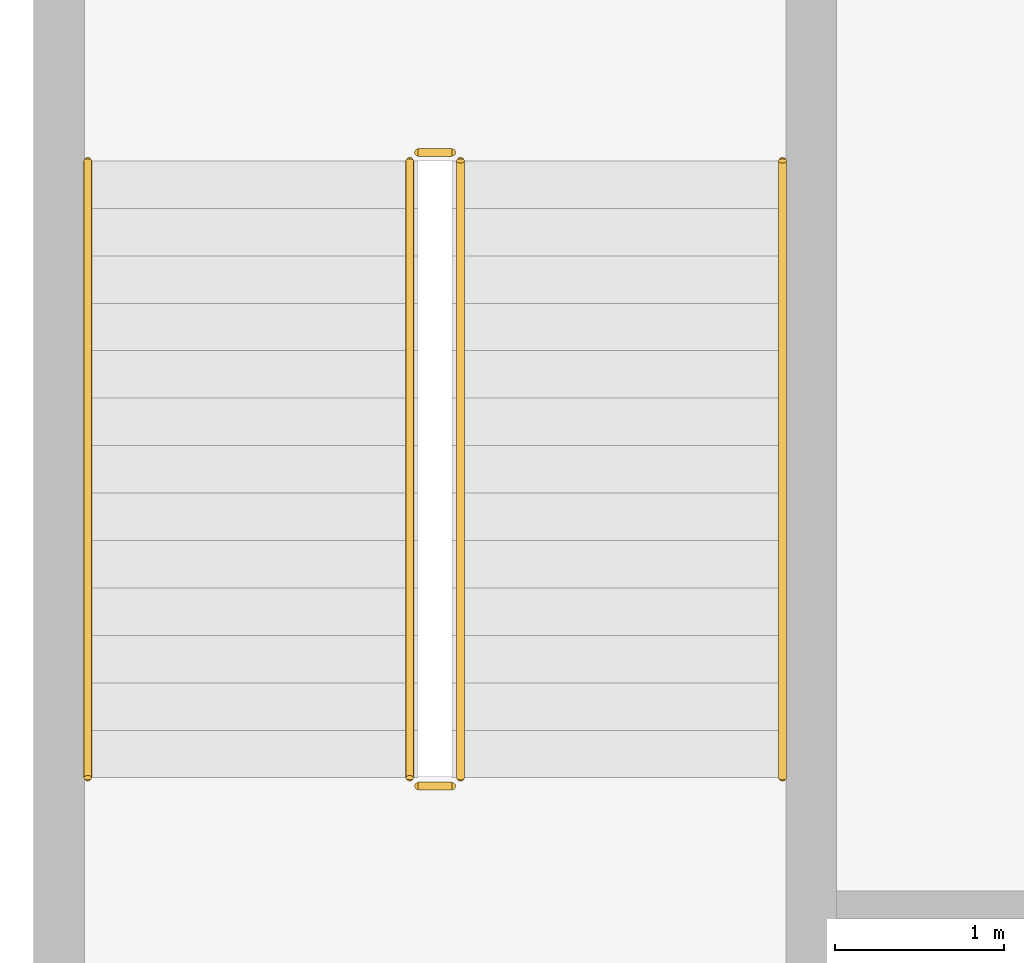
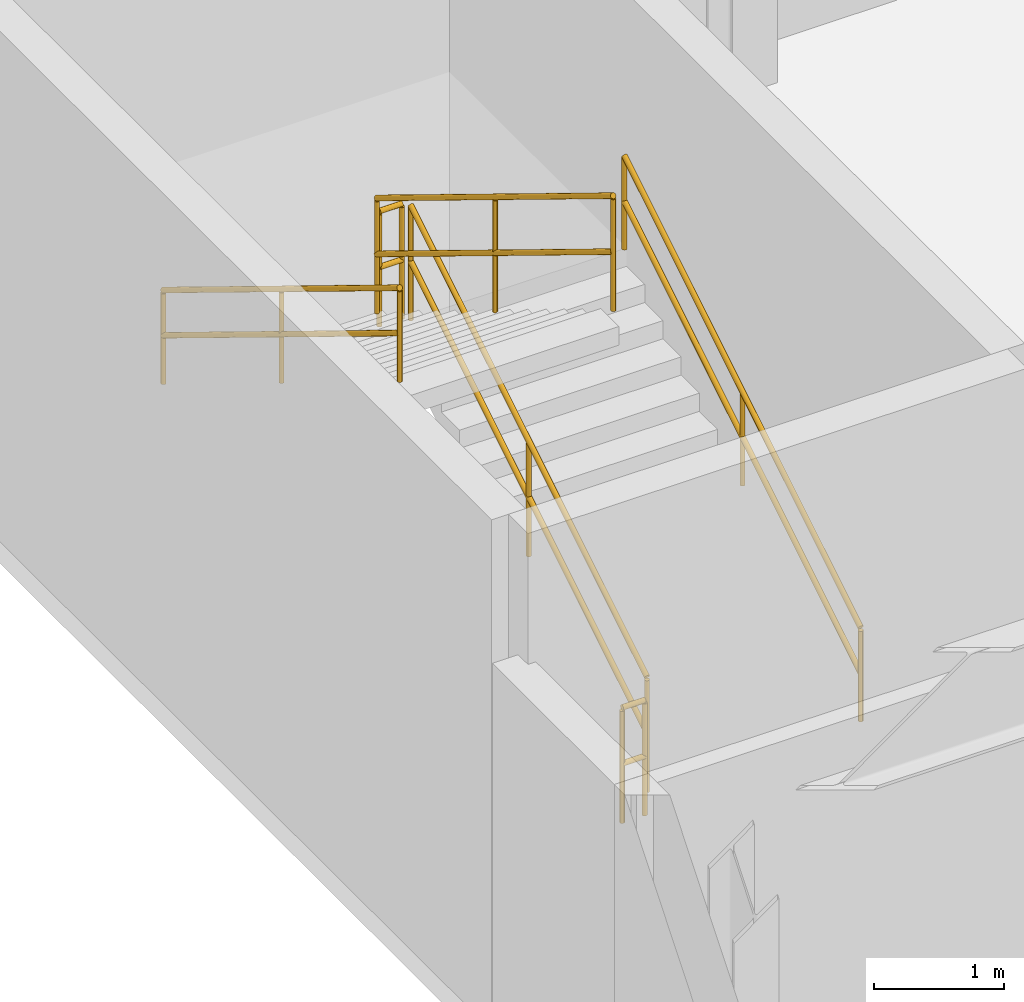
# One storey, part 25 of 26: 6 railings.
"""IFC4 building model written with IfcOpenShell, lengths in metres."""

from ifc_helpers import new_model, si_unit, direction, frame, origin, origin_2d, place, context, subcontext, project, spatial, circle, extrude, material, type_object, element, save


model = new_model("IFC4")

# Units and contexts
model_context = context("Model", 3, precision=1e-05, world=origin(), true_north=direction((0.0, 1.0)))
body_context = subcontext(model_context, "Body", "Model", "MODEL_VIEW")
ifc_project = project(units=[si_unit("LENGTHUNIT", "METRE"), si_unit("AREAUNIT", "SQUARE_METRE"), si_unit("VOLUMEUNIT", "CUBIC_METRE"), si_unit("PLANEANGLEUNIT", "RADIAN"), si_unit("MASSUNIT", "GRAM", prefix="KILO")], contexts=[model_context])

# Site, building, storey
site_placement = place(None, origin())
site = spatial("IfcSite", under=ifc_project, at=site_placement, CompositionType="ELEMENT")
building_placement = place(site_placement, origin())
building = spatial("IfcBuilding", under=site, at=building_placement, Name="Veldorina Hangang Commons", CompositionType="ELEMENT")
storey_placement = place(building_placement, frame((0.0, 0.0, 5.199951171875)))
storey = spatial("IfcBuildingStorey", under=building, at=storey_placement, Name="L01", CompositionType="ELEMENT", Elevation=5.199951171875)

# Railings
ifc_material_1 = material(Name="Steel Painted Balustrade", Category="steel")
railing_type_1 = type_object("IfcRailingType", Name="RL-GRD-STAIR", PredefinedType="GUARDRAIL", material=ifc_material_1)
railing_1_placement = place(storey_placement, frame((6.449951171875, 36.39990234375, 0.17138671875)))
element("IfcRailing", 1, at=railing_1_placement, inside=storey, type_object=railing_type_1, Name="L01 ST-P1 stair guard 1", PredefinedType="GUARDRAIL", context=body_context, shape_type="SweptSolid", body=[
    extrude(circle(Radius=0.02392578125, at=origin_2d()), frame((0.0, 0.0, 1.076171875), z_axis=(0.0, 0.852840387347, 0.522171689878), x_axis=(-1.0, 0.0, 0.0)), (0.0, 0.0, 1.0), 4.268310546875),
    extrude(circle(Radius=0.02392578125, at=origin_2d()), frame((0.0, 0.0, 0.550048828125), z_axis=(0.0, 0.852840387347, 0.522171689878), x_axis=(-1.0, 0.0, 0.0)), (0.0, 0.0, 1.0), 4.268310546875),
    extrude(circle(Radius=0.02099609375, at=origin_2d()), origin(), (0.0, 0.0, 1.0), 1.052001953125),
    extrude(circle(Radius=0.02099609375, at=origin_2d()), frame((0.0, 1.820068359375, 1.1142578125)), (0.0, 0.0, 1.0), 1.052001953125),
    extrude(circle(Radius=0.02099609375, at=origin_2d()), frame((0.0, 3.64013671875, 2.228759765625)), (0.0, 0.0, 1.0), 1.052001953125),
])
railing_2_placement = place(storey_placement, frame((6.39990234375, 40.090087890625, 2.400146484375)))
element("IfcRailing", 2, at=railing_2_placement, inside=storey, type_object=railing_type_1, Name="L01 ST-P1 stair guard 2", PredefinedType="GUARDRAIL", context=body_context, shape_type="SweptSolid", body=[
    extrude(circle(Radius=0.02392578125, at=origin_2d()), frame((0.0, 0.0, 1.076171875), z_axis=(-1.0, 0.0, 0.0), x_axis=(0.0, -1.0, 0.0)), (0.0, 0.0, 1.0), 0.199951171875),
    extrude(circle(Radius=0.02392578125, at=origin_2d()), frame((0.0, 0.0, 0.550048828125), z_axis=(-1.0, 0.0, 0.0), x_axis=(0.0, -1.0, 0.0)), (0.0, 0.0, 1.0), 0.199951171875),
    extrude(circle(Radius=0.02099609375, at=origin_2d()), origin(), (0.0, 0.0, 1.0), 1.052001953125),
    extrude(circle(Radius=0.02099609375, at=origin_2d()), frame((-0.199951171875, 0.0, 0.0)), (0.0, 0.0, 1.0), 1.052001953125),
])
railing_3_placement = place(storey_placement, frame((6.14990234375, 40.0400390625, 2.571533203125)))
element("IfcRailing", 3, at=railing_3_placement, inside=storey, type_object=railing_type_1, Name="L01 ST-P1 stair guard 3", PredefinedType="GUARDRAIL", context=body_context, shape_type="SweptSolid", body=[
    extrude(circle(Radius=0.02392578125, at=origin_2d()), frame((0.0, 0.0, 1.076171875), z_axis=(0.0, -0.852865859571, 0.52213008492), x_axis=(1.0, 0.0, 0.0)), (0.0, 0.0, 1.0), 4.26806640625),
    extrude(circle(Radius=0.02392578125, at=origin_2d()), frame((0.0, 0.0, 0.550048828125), z_axis=(0.0, -0.852865859571, 0.52213008492), x_axis=(1.0, 0.0, 0.0)), (0.0, 0.0, 1.0), 4.26806640625),
    extrude(circle(Radius=0.02099609375, at=origin_2d()), origin(), (0.0, 0.0, 1.0), 1.052001953125),
    extrude(circle(Radius=0.02099609375, at=origin_2d()), frame((0.0, -1.820068359375, 1.1142578125)), (0.0, 0.0, 1.0), 1.052001953125),
    extrude(circle(Radius=0.02099609375, at=origin_2d()), frame((0.0, -3.64013671875, 2.228515625)), (0.0, 0.0, 1.0), 1.052001953125),
])
railing_4_placement = place(storey_placement, frame((6.39990234375, 36.35009765625, 0.0)))
element("IfcRailing", 4, at=railing_4_placement, inside=storey, type_object=railing_type_1, Name="L01 ST-P1 stair guard 4", PredefinedType="GUARDRAIL", context=body_context, shape_type="SweptSolid", body=[
    extrude(circle(Radius=0.02392578125, at=origin_2d()), frame((0.0, 0.0, 1.076171875), z_axis=(-1.0, 0.0, 0.0), x_axis=(0.0, -1.0, 0.0)), (0.0, 0.0, 1.0), 0.199951171875),
    extrude(circle(Radius=0.02392578125, at=origin_2d()), frame((0.0, 0.0, 0.550048828125), z_axis=(-1.0, 0.0, 0.0), x_axis=(0.0, -1.0, 0.0)), (0.0, 0.0, 1.0), 0.199951171875),
    extrude(circle(Radius=0.02099609375, at=origin_2d()), origin(), (0.0, 0.0, 1.0), 1.052001953125),
    extrude(circle(Radius=0.02099609375, at=origin_2d()), frame((-0.199951171875, 0.0, 0.0)), (0.0, 0.0, 1.0), 1.052001953125),
])
ifc_material_2 = material(Name="Stainless Steel Brushed 316", Category="steel")
railing_type_2 = type_object("IfcRailingType", Name="RL-HND-STAIR", PredefinedType="HANDRAIL", material=ifc_material_2)
railing_5_placement = place(storey_placement, frame((8.35009765625, 36.39990234375, 0.17138671875)))
element("IfcRailing", 5, at=railing_5_placement, inside=storey, type_object=railing_type_2, Name="L01 ST-P1 stair handrail 1", PredefinedType="HANDRAIL", context=body_context, shape_type="SweptSolid", body=[
    extrude(circle(Radius=0.02392578125, at=origin_2d()), frame((0.0, 0.0, 0.8759765625), z_axis=(0.0, 0.852840387347, 0.522171689878), x_axis=(-1.0, 0.0, 0.0)), (0.0, 0.0, 1.0), 4.268310546875),
    extrude(circle(Radius=0.02392578125, at=origin_2d()), frame((0.0, 0.0, 0.449951171875), z_axis=(0.0, 0.852840387347, 0.522171689878), x_axis=(-1.0, 0.0, 0.0)), (0.0, 0.0, 1.0), 4.268310546875),
    extrude(circle(Radius=0.02099609375, at=origin_2d()), origin(), (0.0, 0.0, 1.0), 0.851806640625),
    extrude(circle(Radius=0.02099609375, at=origin_2d()), frame((0.0, 1.820068359375, 1.1142578125)), (0.0, 0.0, 1.0), 0.851806640625),
    extrude(circle(Radius=0.02099609375, at=origin_2d()), frame((0.0, 3.64013671875, 2.228759765625)), (0.0, 0.0, 1.0), 0.851806640625),
])
railing_6_placement = place(storey_placement, frame((4.25, 40.0400390625, 2.571533203125)))
element("IfcRailing", 6, at=railing_6_placement, inside=storey, type_object=railing_type_2, Name="L01 ST-P1 stair handrail 2", PredefinedType="HANDRAIL", context=body_context, shape_type="SweptSolid", body=[
    extrude(circle(Radius=0.02392578125, at=origin_2d()), frame((0.0, 0.0, 0.8759765625), z_axis=(0.0, -0.852865859571, 0.52213008492), x_axis=(1.0, 0.0, 0.0)), (0.0, 0.0, 1.0), 4.26806640625),
    extrude(circle(Radius=0.02392578125, at=origin_2d()), frame((0.0, 0.0, 0.449951171875), z_axis=(0.0, -0.852865859571, 0.52213008492), x_axis=(1.0, 0.0, 0.0)), (0.0, 0.0, 1.0), 4.26806640625),
    extrude(circle(Radius=0.02099609375, at=origin_2d()), origin(), (0.0, 0.0, 1.0), 0.851806640625),
    extrude(circle(Radius=0.02099609375, at=origin_2d()), frame((0.0, -1.820068359375, 1.1142578125)), (0.0, 0.0, 1.0), 0.851806640625),
    extrude(circle(Radius=0.02099609375, at=origin_2d()), frame((0.0, -3.64013671875, 2.228515625)), (0.0, 0.0, 1.0), 0.851806640625),
])

save(model, "model.ifc")
